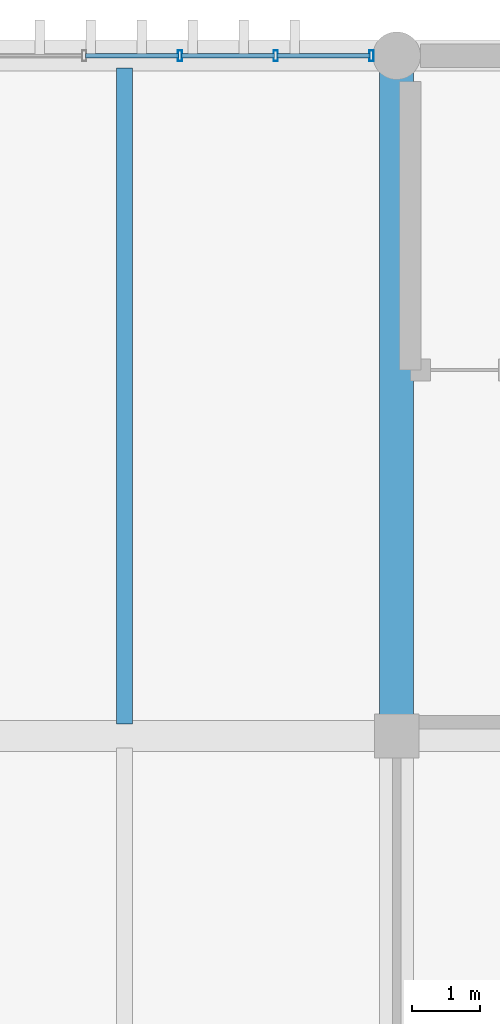
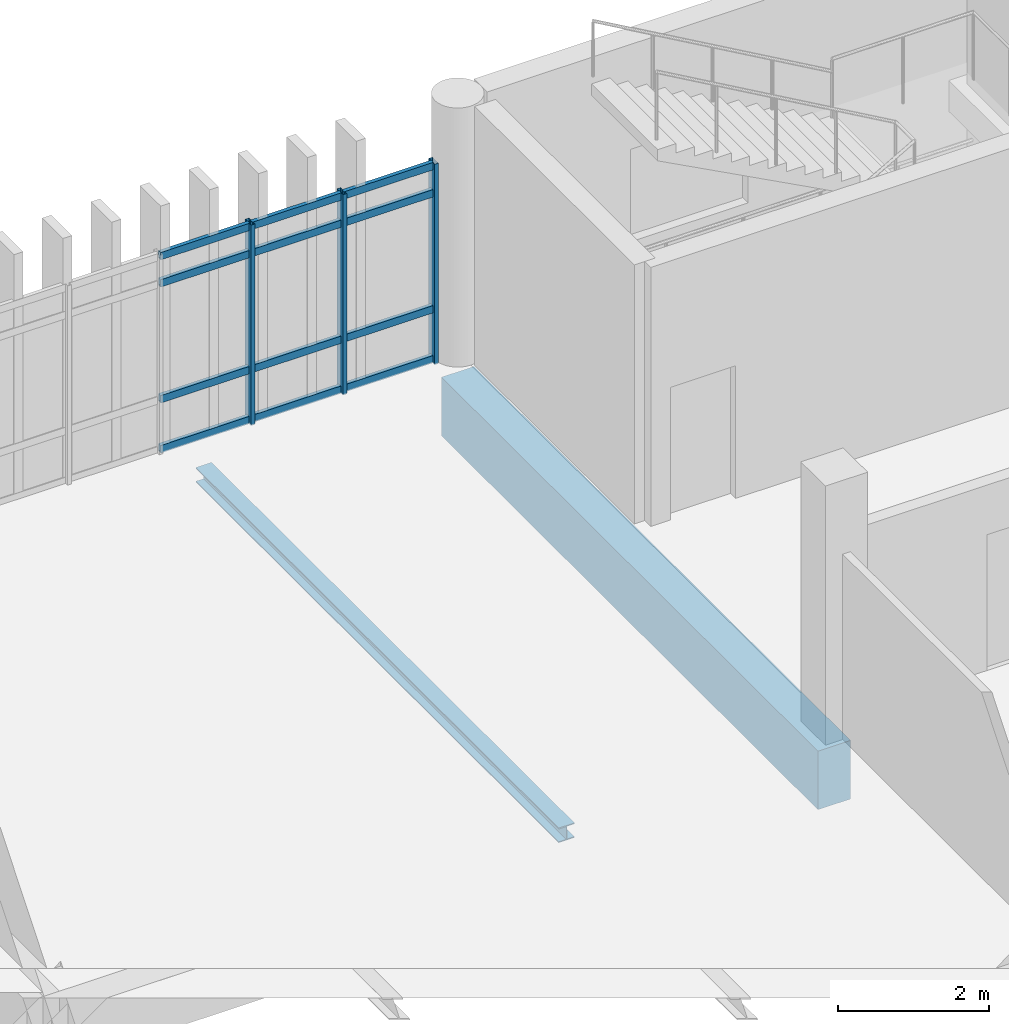
# One storey, part 16 of 82: 15 members, 2 beams, 1 element without a shape of its own.
"""IFC4 building model written with IfcOpenShell, lengths in metres."""

from ifc_helpers import new_model, si_unit, direction, frame, origin, origin_2d, place, context, subcontext, project, spatial, rectangle, hollow_rectangle, i_section, extrude, material, layer, layer_set, material_profile, profile_set, type_object, element, aggregate, save


model = new_model("IFC4")

# Units and contexts
model_context = context("Model", 3, precision=1e-05, world=origin(), true_north=direction((0.0, 1.0)))
body_context = subcontext(model_context, "Body", "Model", "MODEL_VIEW")
ifc_project = project(units=[si_unit("LENGTHUNIT", "METRE"), si_unit("AREAUNIT", "SQUARE_METRE"), si_unit("VOLUMEUNIT", "CUBIC_METRE"), si_unit("PLANEANGLEUNIT", "RADIAN"), si_unit("MASSUNIT", "GRAM", prefix="KILO")], contexts=[model_context])

# Site, building, storey
site_placement = place(None, origin())
site = spatial("IfcSite", under=ifc_project, at=site_placement, CompositionType="ELEMENT")
building_placement = place(site_placement, origin())
building = spatial("IfcBuilding", under=site, at=building_placement, Name="Mersad Railyard Sports Hall", CompositionType="ELEMENT")
storey_placement = place(building_placement, frame((0.0, 0.0, 13.199951171875)))
storey = spatial("IfcBuildingStorey", under=building, at=storey_placement, Name="L03", CompositionType="ELEMENT", Elevation=13.199951171875)

# Curtain wall, members
ifc_material_1 = material(Name="Aluminium 6063-T6", Category="aluminium")
ifc_layer = layer(ifc_material_1, 0.159912109375)
ifc_layer_set = layer_set([ifc_layer], Name="Aluminium 6063-T6")
curtain_wall_type = type_object("IfcCurtainWallType", Name="ARC-CW-CW57", PredefinedType="USERDEFINED", material=ifc_layer_set)
curtain_wall_placement = place(storey_placement, origin())
curtain_wall = element("IfcCurtainWall", 1, at=curtain_wall_placement, inside=storey, type_object=curtain_wall_type, Name="Curtain wall CW57-0151", ObjectType="CURTAIN WALL", PredefinedType="USERDEFINED")
ifc_material_profile_1 = material_profile(ifc_material_1, hollow_rectangle(XDim=0.06005859375, YDim=0.159912109375, WallThickness=0.00390625, at=origin_2d()), Name="AL MULLION 60x160x4")
ifc_profile_set_1 = profile_set([ifc_material_profile_1], Name="Aluminium 6063-T6")
member_type_1 = type_object("IfcMemberType", Name="ARC-CW-MUL01", PredefinedType="MULLION", material=ifc_profile_set_1)
member_1_placement = place(storey_placement, frame((63.81494140625, 115.0, -0.02001953125), z_axis=(0.0, 0.0, 1.0), x_axis=(1.0, 0.0, 0.0)))
member_1 = element("IfcMember", 2, at=member_1_placement, type_object=member_type_1, Name="CW57 Mullion 7", PredefinedType="MULLION", context=body_context, shape_type="SweptSolid", body=[
    extrude(hollow_rectangle(XDim=0.06005859375, YDim=0.159912109375, WallThickness=0.00390625, at=origin_2d()), origin(), (0.0, 0.0, 1.0), 3.25),
])
member_2_placement = place(storey_placement, frame((65.222412109375, 115.0, -0.02001953125), z_axis=(0.0, 0.0, 1.0), x_axis=(1.0, 0.0, 0.0)))
member_2 = element("IfcMember", 3, at=member_2_placement, type_object=member_type_1, Name="CW57 Mullion 8", PredefinedType="MULLION", context=body_context, shape_type="SweptSolid", body=[
    extrude(hollow_rectangle(XDim=0.06005859375, YDim=0.159912109375, WallThickness=0.00390625, at=origin_2d()), origin(), (0.0, 0.0, 1.0), 3.25),
])
member_3_placement = place(storey_placement, frame((66.6298828125, 115.0, -0.02001953125), z_axis=(0.0, 0.0, 1.0), x_axis=(1.0, 0.0, 0.0)))
member_3 = element("IfcMember", 4, at=member_3_placement, type_object=member_type_1, Name="CW57 Mullion 9", PredefinedType="MULLION", context=body_context, shape_type="SweptSolid", body=[
    extrude(hollow_rectangle(XDim=0.06005859375, YDim=0.159912109375, WallThickness=0.00390625, at=origin_2d()), origin(), (0.0, 0.0, 1.0), 3.25),
])
ifc_material_profile_2 = material_profile(ifc_material_1, hollow_rectangle(XDim=0.06005859375, YDim=0.1201171875, WallThickness=0.00390625, at=origin_2d()), Name="AL TRANSOM 60x120x4")
ifc_profile_set_2 = profile_set([ifc_material_profile_2], Name="Aluminium 6063-T6")
member_type_2 = type_object("IfcMemberType", Name="ARC-CW-TRN01", PredefinedType="USERDEFINED", material=ifc_profile_set_2)
member_4_placement = place(storey_placement, frame((62.427490234375, 115.0, 0.0400390625), z_axis=(1.0, 0.0, 0.0), x_axis=(0.0, 1.0, 0.0)))
member_4 = element("IfcMember", 5, at=member_4_placement, type_object=member_type_2, Name="CW57 Transom 1-6", ObjectType="TRANSOM", PredefinedType="USERDEFINED", context=body_context, shape_type="SweptSolid", body=[
    extrude(hollow_rectangle(XDim=0.06005859375, YDim=0.1201171875, WallThickness=0.00390625, at=origin_2d()), origin(), (0.0, 0.0, 1.0), 1.367431640625),
])
member_5_placement = place(storey_placement, frame((63.8349609375, 115.0, 0.0400390625), z_axis=(1.0, 0.0, 0.0), x_axis=(0.0, 1.0, 0.0)))
member_5 = element("IfcMember", 6, at=member_5_placement, type_object=member_type_2, Name="CW57 Transom 1-7", ObjectType="TRANSOM", PredefinedType="USERDEFINED", context=body_context, shape_type="SweptSolid", body=[
    extrude(hollow_rectangle(XDim=0.06005859375, YDim=0.1201171875, WallThickness=0.00390625, at=origin_2d()), origin(), (0.0, 0.0, 1.0), 1.367431640625),
])
member_6_placement = place(storey_placement, frame((65.242431640625, 115.0, 0.0400390625), z_axis=(1.0, 0.0, 0.0), x_axis=(0.0, 1.0, 0.0)))
member_6 = element("IfcMember", 7, at=member_6_placement, type_object=member_type_2, Name="CW57 Transom 1-8", ObjectType="TRANSOM", PredefinedType="USERDEFINED", context=body_context, shape_type="SweptSolid", body=[
    extrude(hollow_rectangle(XDim=0.06005859375, YDim=0.1201171875, WallThickness=0.00390625, at=origin_2d()), origin(), (0.0, 0.0, 1.0), 1.36767578125),
])
member_7_placement = place(storey_placement, frame((62.427490234375, 115.0, 0.85009765625), z_axis=(1.0, 0.0, 0.0), x_axis=(0.0, 1.0, 0.0)))
member_7 = element("IfcMember", 8, at=member_7_placement, type_object=member_type_2, Name="CW57 Transom 2-6", ObjectType="TRANSOM", PredefinedType="USERDEFINED", context=body_context, shape_type="SweptSolid", body=[
    extrude(hollow_rectangle(XDim=0.06005859375, YDim=0.1201171875, WallThickness=0.00390625, at=origin_2d()), origin(), (0.0, 0.0, 1.0), 1.367431640625),
])
member_8_placement = place(storey_placement, frame((63.8349609375, 115.0, 0.85009765625), z_axis=(1.0, 0.0, 0.0), x_axis=(0.0, 1.0, 0.0)))
member_8 = element("IfcMember", 9, at=member_8_placement, type_object=member_type_2, Name="CW57 Transom 2-7", ObjectType="TRANSOM", PredefinedType="USERDEFINED", context=body_context, shape_type="SweptSolid", body=[
    extrude(hollow_rectangle(XDim=0.06005859375, YDim=0.1201171875, WallThickness=0.00390625, at=origin_2d()), origin(), (0.0, 0.0, 1.0), 1.367431640625),
])
member_9_placement = place(storey_placement, frame((65.242431640625, 115.0, 0.85009765625), z_axis=(1.0, 0.0, 0.0), x_axis=(0.0, 1.0, 0.0)))
member_9 = element("IfcMember", 10, at=member_9_placement, type_object=member_type_2, Name="CW57 Transom 2-8", ObjectType="TRANSOM", PredefinedType="USERDEFINED", context=body_context, shape_type="SweptSolid", body=[
    extrude(hollow_rectangle(XDim=0.06005859375, YDim=0.1201171875, WallThickness=0.00390625, at=origin_2d()), origin(), (0.0, 0.0, 1.0), 1.36767578125),
])
member_10_placement = place(storey_placement, frame((62.427490234375, 115.0, 2.72998046875), z_axis=(1.0, 0.0, 0.0), x_axis=(0.0, 1.0, 0.0)))
member_10 = element("IfcMember", 11, at=member_10_placement, type_object=member_type_2, Name="CW57 Transom 3-6", ObjectType="TRANSOM", PredefinedType="USERDEFINED", context=body_context, shape_type="SweptSolid", body=[
    extrude(hollow_rectangle(XDim=0.06005859375, YDim=0.1201171875, WallThickness=0.00390625, at=origin_2d()), origin(), (0.0, 0.0, 1.0), 1.367431640625),
])
member_11_placement = place(storey_placement, frame((63.8349609375, 115.0, 2.72998046875), z_axis=(1.0, 0.0, 0.0), x_axis=(0.0, 1.0, 0.0)))
member_11 = element("IfcMember", 12, at=member_11_placement, type_object=member_type_2, Name="CW57 Transom 3-7", ObjectType="TRANSOM", PredefinedType="USERDEFINED", context=body_context, shape_type="SweptSolid", body=[
    extrude(hollow_rectangle(XDim=0.06005859375, YDim=0.1201171875, WallThickness=0.00390625, at=origin_2d()), origin(), (0.0, 0.0, 1.0), 1.367431640625),
])
member_12_placement = place(storey_placement, frame((65.242431640625, 115.0, 2.72998046875), z_axis=(1.0, 0.0, 0.0), x_axis=(0.0, 1.0, 0.0)))
member_12 = element("IfcMember", 13, at=member_12_placement, type_object=member_type_2, Name="CW57 Transom 3-8", ObjectType="TRANSOM", PredefinedType="USERDEFINED", context=body_context, shape_type="SweptSolid", body=[
    extrude(hollow_rectangle(XDim=0.06005859375, YDim=0.1201171875, WallThickness=0.00390625, at=origin_2d()), origin(), (0.0, 0.0, 1.0), 1.36767578125),
])
member_13_placement = place(storey_placement, frame((62.427490234375, 115.0, 3.170166015625), z_axis=(1.0, 0.0, 0.0), x_axis=(0.0, 1.0, 0.0)))
member_13 = element("IfcMember", 14, at=member_13_placement, type_object=member_type_2, Name="CW57 Transom 4-6", ObjectType="TRANSOM", PredefinedType="USERDEFINED", context=body_context, shape_type="SweptSolid", body=[
    extrude(hollow_rectangle(XDim=0.06005859375, YDim=0.1201171875, WallThickness=0.00390625, at=origin_2d()), origin(), (0.0, 0.0, 1.0), 1.367431640625),
])
member_14_placement = place(storey_placement, frame((63.8349609375, 115.0, 3.170166015625), z_axis=(1.0, 0.0, 0.0), x_axis=(0.0, 1.0, 0.0)))
member_14 = element("IfcMember", 15, at=member_14_placement, type_object=member_type_2, Name="CW57 Transom 4-7", ObjectType="TRANSOM", PredefinedType="USERDEFINED", context=body_context, shape_type="SweptSolid", body=[
    extrude(hollow_rectangle(XDim=0.06005859375, YDim=0.1201171875, WallThickness=0.00390625, at=origin_2d()), origin(), (0.0, 0.0, 1.0), 1.367431640625),
])
member_15_placement = place(storey_placement, frame((65.242431640625, 115.0, 3.170166015625), z_axis=(1.0, 0.0, 0.0), x_axis=(0.0, 1.0, 0.0)))
member_15 = element("IfcMember", 16, at=member_15_placement, type_object=member_type_2, Name="CW57 Transom 4-8", ObjectType="TRANSOM", PredefinedType="USERDEFINED", context=body_context, shape_type="SweptSolid", body=[
    extrude(hollow_rectangle(XDim=0.06005859375, YDim=0.1201171875, WallThickness=0.00390625, at=origin_2d()), origin(), (0.0, 0.0, 1.0), 1.36767578125),
])
aggregate(curtain_wall, [member_1, member_2, member_3, member_4, member_5, member_6, member_7, member_8, member_9, member_10, member_11, member_12, member_13, member_14, member_15])

# Beams
ifc_material_2 = material(Name="Concrete C50/60", Category="concrete")
ifc_material_profile_3 = material_profile(ifc_material_2, rectangle(XDim=0.5, YDim=0.949951171875, at=origin_2d()), Name="RC 500x950")
ifc_profile_set_3 = profile_set([ifc_material_profile_3], Name="Concrete C50/60")
beam_type_1 = type_object("IfcBeamType", Name="STR-BM-B03", PredefinedType="BEAM", material=ifc_profile_set_3)
beam_1_placement = place(storey_placement, frame((67.0, 105.0, -0.794921875), z_axis=(0.0, 1.0, 0.0), x_axis=(-1.0, 0.0, 0.0)))
element("IfcBeam", 17, at=beam_1_placement, inside=storey, type_object=beam_type_1, Name="Beam B03-1252", PredefinedType="BEAM", context=body_context, shape_type="SweptSolid", body=[
    extrude(rectangle(XDim=0.5, YDim=0.949951171875, at=origin_2d()), origin(), (0.0, 0.0, 1.0), 10.0),
])
ifc_material_3 = material(Name="Steel S355", Category="steel")
ifc_material_profile_4 = material_profile(ifc_material_3, i_section(OverallWidth=0.239990234375, OverallDepth=0.239990234375, WebThickness=0.010009765625, FlangeThickness=0.01708984375, at=origin_2d()), Name="HEB 240")
ifc_profile_set_4 = profile_set([ifc_material_profile_4], Name="Steel S355")
beam_type_2 = type_object("IfcBeamType", Name="STR-BM-SB04", PredefinedType="BEAM", material=ifc_profile_set_4)
beam_2_placement = place(storey_placement, frame((63.0, 105.179931640625, -0.43994140625), z_axis=(0.0, 1.0, 0.0), x_axis=(-1.0, 0.0, 0.0)))
element("IfcBeam", 18, at=beam_2_placement, inside=storey, type_object=beam_type_2, Name="Beam SB04-1282", PredefinedType="BEAM", context=body_context, shape_type="SweptSolid", body=[
    extrude(i_section(OverallWidth=0.239990234375, OverallDepth=0.239990234375, WebThickness=0.010009765625, FlangeThickness=0.01708984375, at=origin_2d()), origin(), (0.0, 0.0, 1.0), 9.64013671875),
])

save(model, "model.ifc")
